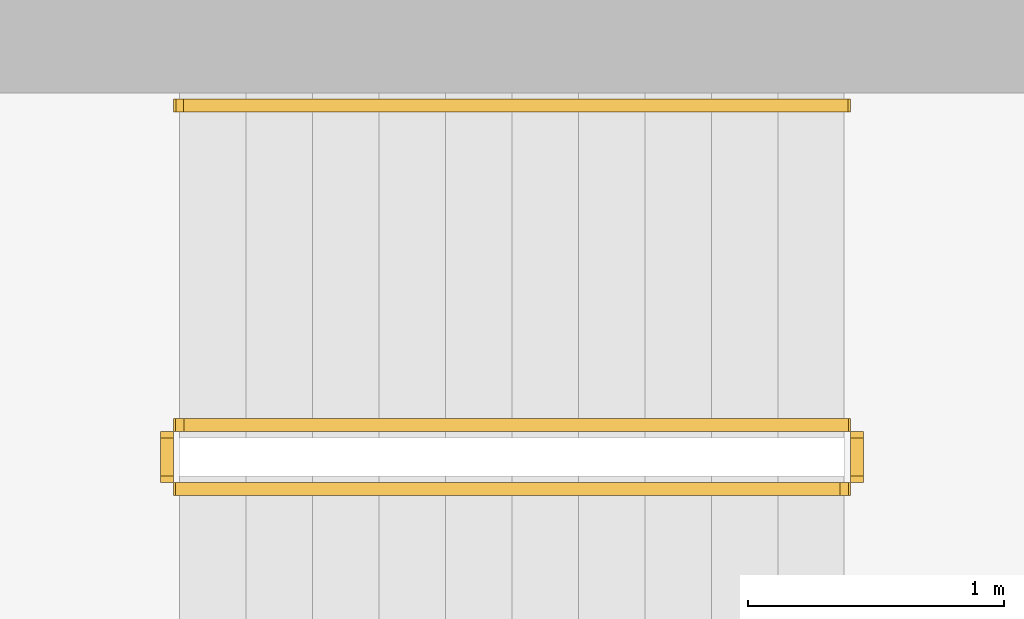
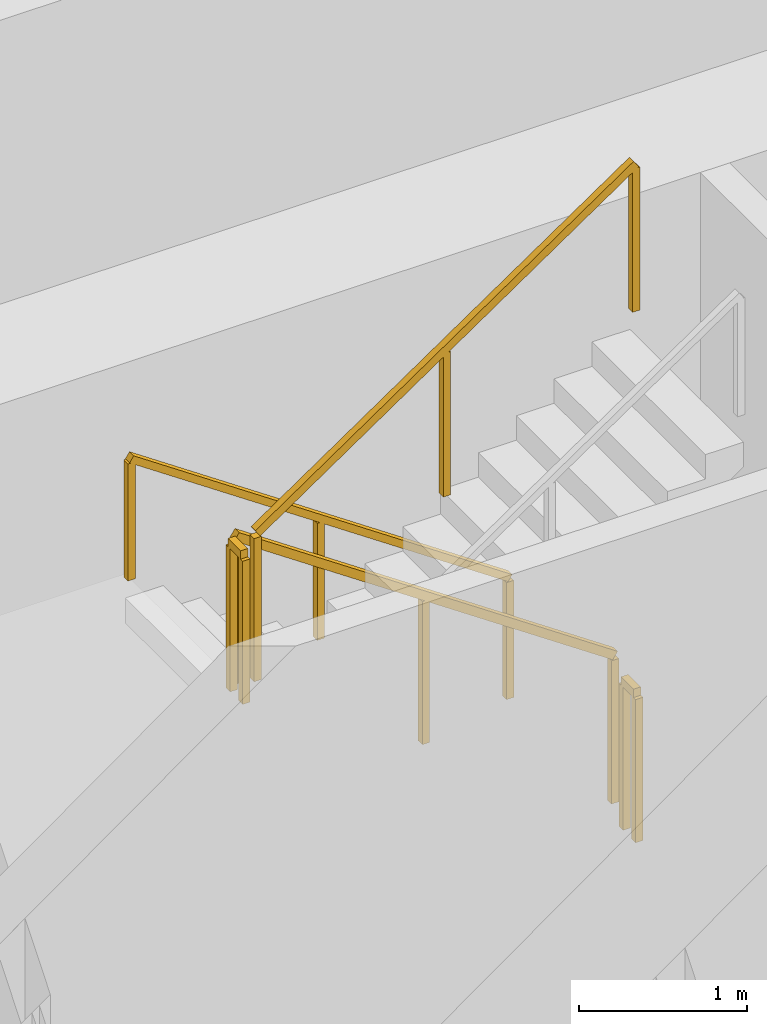
# One storey, part 13 of 14: 5 railings.
"""IFC4 building model written with IfcOpenShell, lengths in metres."""

from ifc_helpers import new_model, si_unit, direction, frame, origin, origin_2d, place, context, subcontext, project, spatial, rectangle, extrude, material, type_object, element, save


model = new_model("IFC4")

# Units and contexts
model_context = context("Model", 3, precision=1e-05, world=origin(), true_north=direction((0.0, 1.0)))
body_context = subcontext(model_context, "Body", "Model", "MODEL_VIEW")
ifc_project = project(units=[si_unit("LENGTHUNIT", "METRE"), si_unit("AREAUNIT", "SQUARE_METRE"), si_unit("VOLUMEUNIT", "CUBIC_METRE"), si_unit("PLANEANGLEUNIT", "RADIAN"), si_unit("MASSUNIT", "GRAM", prefix="KILO")], contexts=[model_context])

# Site, building, storey
site_placement = place(None, origin())
site = spatial("IfcSite", under=ifc_project, at=site_placement, CompositionType="ELEMENT")
building_placement = place(site_placement, origin())
building = spatial("IfcBuilding", under=site, at=building_placement, Name="Khepri Terraces", CompositionType="ELEMENT")
storey_placement = place(building_placement, frame((0.0, 0.0, 90.89990234375)))
storey = spatial("IfcBuildingStorey", under=building, at=storey_placement, Name="L21", CompositionType="ELEMENT", Elevation=90.89990234375)

# Railings
ifc_material = material(Name="Stainless steel 316", Category="steel")
railing_type_1 = type_object("IfcRailingType", Name="RL-CORE-GUARD", PredefinedType="GUARDRAIL", material=ifc_material)
railing_1_placement = place(storey_placement, frame((-0.25, 8.800048828125, 0.177490234375)))
element("IfcRailing", 1, at=railing_1_placement, inside=storey, type_object=railing_type_1, Name="L21 ST-3 stair guard 1", PredefinedType="GUARDRAIL", context=body_context, shape_type="SweptSolid", body=[
    extrude(rectangle(XDim=0.050048828125, YDim=0.06005859375, at=origin_2d()), frame((0.0, 0.0, 1.070068359375), z_axis=(-0.826240473404, 0.0, 0.563317565952), x_axis=(0.0, -1.0, 0.0)), (0.0, 0.0, 1.0), 3.14697265625),
    extrude(rectangle(XDim=0.050048828125, YDim=0.050048828125, at=origin_2d()), origin(), (0.0, 0.0, 1.0), 1.0400390625),
    extrude(rectangle(XDim=0.050048828125, YDim=0.050048828125, at=origin_2d()), frame((-1.300048828125, 0.0, 0.88623046875)), (0.0, 0.0, 1.0), 1.0400390625),
    extrude(rectangle(XDim=0.050048828125, YDim=0.050048828125, at=origin_2d()), frame((-2.60009765625, 0.0, 1.772705078125)), (0.0, 0.0, 1.0), 1.0400390625),
])
railing_2_placement = place(storey_placement, frame((-2.89990234375, 8.75, 1.9501953125)))
element("IfcRailing", 2, at=railing_2_placement, inside=storey, type_object=railing_type_1, Name="L21 ST-3 stair guard 2", PredefinedType="GUARDRAIL", context=body_context, shape_type="SweptSolid", body=[
    extrude(rectangle(XDim=0.050048828125, YDim=0.06005859375, at=origin_2d()), frame((0.0, 0.0, 1.070068359375), z_axis=(0.0, -1.0, 0.0), x_axis=(1.0, 0.0, 0.0)), (0.0, 0.0, 1.0), 0.14990234375),
    extrude(rectangle(XDim=0.050048828125, YDim=0.050048828125, at=origin_2d()), origin(), (0.0, 0.0, 1.0), 1.0400390625),
    extrude(rectangle(XDim=0.050048828125, YDim=0.050048828125, at=origin_2d()), frame((0.0, -0.14990234375, 0.0)), (0.0, 0.0, 1.0), 1.0400390625),
])
railing_3_placement = place(storey_placement, frame((-2.85009765625, 8.550048828125, 2.12744140625)))
element("IfcRailing", 3, at=railing_3_placement, inside=storey, type_object=railing_type_1, Name="L21 ST-3 stair guard 3", PredefinedType="GUARDRAIL", context=body_context, shape_type="SweptSolid", body=[
    extrude(rectangle(XDim=0.050048828125, YDim=0.06005859375, at=origin_2d()), frame((0.0, 0.0, 1.070068359375), z_axis=(0.826240473404, 0.0, 0.563317565952), x_axis=(0.0, 1.0, 0.0)), (0.0, 0.0, 1.0), 3.14697265625),
    extrude(rectangle(XDim=0.050048828125, YDim=0.050048828125, at=origin_2d()), origin(), (0.0, 0.0, 1.0), 1.0400390625),
    extrude(rectangle(XDim=0.050048828125, YDim=0.050048828125, at=origin_2d()), frame((1.300048828125, 0.0, 0.88623046875)), (0.0, 0.0, 1.0), 1.0400390625),
    extrude(rectangle(XDim=0.050048828125, YDim=0.050048828125, at=origin_2d()), frame((2.60009765625, 0.0, 1.772705078125)), (0.0, 0.0, 1.0), 1.0400390625),
])
railing_4_placement = place(storey_placement, frame((-0.199951171875, 8.75, 0.0)))
element("IfcRailing", 4, at=railing_4_placement, inside=storey, type_object=railing_type_1, Name="L21 ST-3 stair guard 4", PredefinedType="GUARDRAIL", context=body_context, shape_type="SweptSolid", body=[
    extrude(rectangle(XDim=0.050048828125, YDim=0.06005859375, at=origin_2d()), frame((0.0, 0.0, 1.070068359375), z_axis=(0.0, -1.0, 0.0), x_axis=(1.0, 0.0, 0.0)), (0.0, 0.0, 1.0), 0.14990234375),
    extrude(rectangle(XDim=0.050048828125, YDim=0.050048828125, at=origin_2d()), origin(), (0.0, 0.0, 1.0), 1.0400390625),
    extrude(rectangle(XDim=0.050048828125, YDim=0.050048828125, at=origin_2d()), frame((0.0, -0.14990234375, 0.0)), (0.0, 0.0, 1.0), 1.0400390625),
])
railing_type_2 = type_object("IfcRailingType", Name="RL-CORE-HANDRAIL", PredefinedType="HANDRAIL", material=ifc_material)
railing_5_placement = place(storey_placement, frame((-0.25, 10.050048828125, 0.177490234375)))
element("IfcRailing", 5, at=railing_5_placement, inside=storey, type_object=railing_type_2, Name="L21 ST-3 stair handrail 1", PredefinedType="HANDRAIL", context=body_context, shape_type="SweptSolid", body=[
    extrude(rectangle(XDim=0.050048828125, YDim=0.050048828125, at=origin_2d()), frame((0.0, 0.0, 0.875), z_axis=(-0.826240473404, 0.0, 0.563317565952), x_axis=(0.0, -1.0, 0.0)), (0.0, 0.0, 1.0), 3.14697265625),
    extrude(rectangle(XDim=0.050048828125, YDim=0.050048828125, at=origin_2d()), origin(), (0.0, 0.0, 1.0), 0.849853515625),
    extrude(rectangle(XDim=0.050048828125, YDim=0.050048828125, at=origin_2d()), frame((-1.300048828125, 0.0, 0.88623046875)), (0.0, 0.0, 1.0), 0.849853515625),
    extrude(rectangle(XDim=0.050048828125, YDim=0.050048828125, at=origin_2d()), frame((-2.60009765625, 0.0, 1.772705078125)), (0.0, 0.0, 1.0), 0.849853515625),
])

save(model, "model.ifc")
